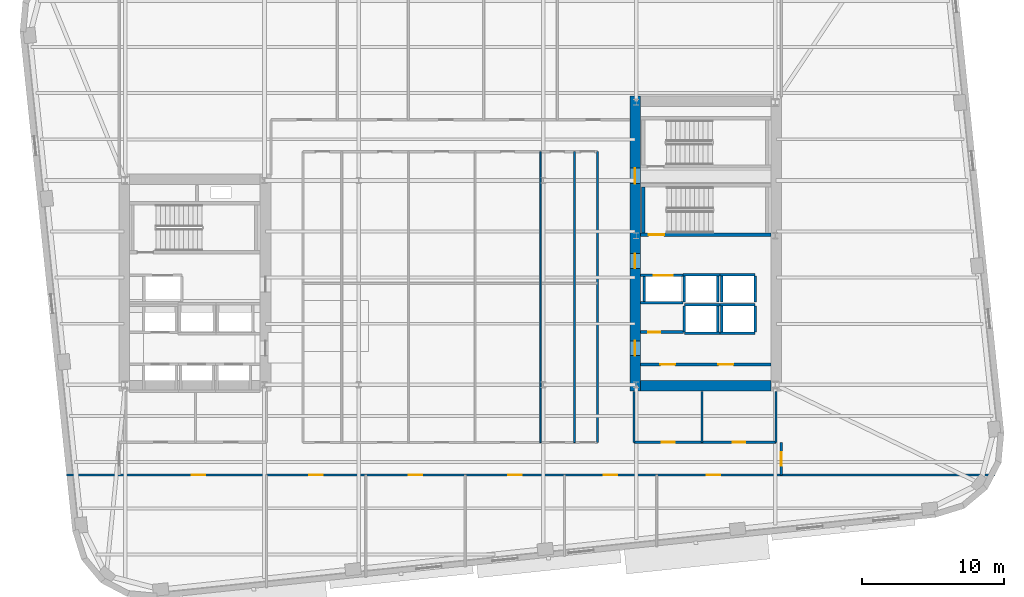
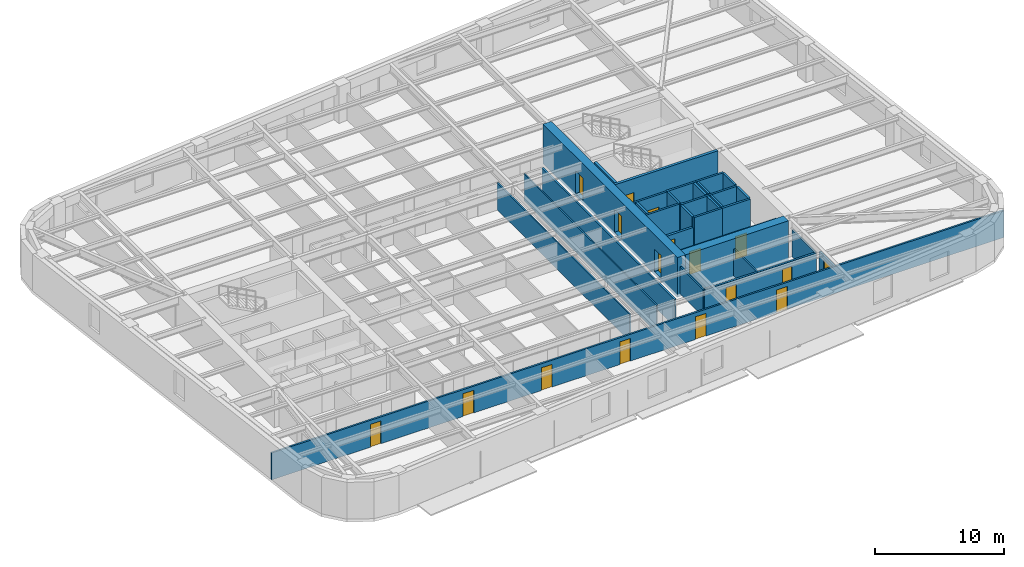
# One storey, part 6 of 13: 32 walls, 17 doors, 17 openings.
"""IFC4 building model written with IfcOpenShell, lengths in metres."""

from ifc_helpers import new_model, si_unit, direction, frame, frame_2d, origin, place, context, subcontext, project, spatial, rectangle, extrude, material, layer, layer_set, type_object, element, fill, save


model = new_model("IFC4")

# Units and contexts
model_context = context("Model", 3, precision=1e-05, world=origin(), true_north=direction((0.0, 1.0)))
body_context = subcontext(model_context, "Body", "Model", "MODEL_VIEW")
ifc_project = project(units=[si_unit("LENGTHUNIT", "METRE"), si_unit("AREAUNIT", "SQUARE_METRE"), si_unit("VOLUMEUNIT", "CUBIC_METRE"), si_unit("PLANEANGLEUNIT", "RADIAN"), si_unit("MASSUNIT", "GRAM", prefix="KILO")], contexts=[model_context])

# Site, building, storey
site_placement = place(None, origin())
site = spatial("IfcSite", under=ifc_project, at=site_placement, CompositionType="ELEMENT")
building_placement = place(site_placement, origin())
building = spatial("IfcBuilding", under=site, at=building_placement, Name="Kolvaren Arena Tower", CompositionType="ELEMENT")
storey_placement = place(building_placement, frame((0.0, 0.0, 145.75)))
storey = spatial("IfcBuildingStorey", under=building, at=storey_placement, Name="L34", CompositionType="ELEMENT", Elevation=145.75)

# Wall, openings, doors
ifc_material_1 = material(Name="Gypsum board acoustic assembly", Category="gypsum")
ifc_layer_1 = layer(ifc_material_1, 0.159912109375)
ifc_layer_set_1 = layer_set([ifc_layer_1], Name="Gypsum board acoustic assembly")
wall_type_1 = type_object("IfcWallType", Name="CORR-160", PredefinedType="PARTITIONING", material=ifc_layer_set_1)
wall_1_placement = place(storey_placement, frame((10.41552734375, 13.10009765625, 0.0), z_axis=(0.0, 0.0, 1.0), x_axis=(1.0, 0.0, 0.0)))
wall_1 = element("IfcWall", 1, at=wall_1_placement, inside=storey, type_object=wall_type_1, Name="Interior Partition Wall (L34)", PredefinedType="PARTITIONING", context=body_context, shape_type="SweptSolid", body=[
    extrude(rectangle(XDim=65.414794921875, YDim=0.159912109375, at=frame_2d((32.70751953125, 0.0))), origin(), (0.0, 0.0, 1.0), 2.5400390625),
])
opening_1_placement = place(wall_1_placement, frame((8.8095703125, 0.0, 0.0)))
opening_1 = element("IfcOpeningElement", 2, at=opening_1_placement, cuts=wall_1, Name="Opening D05", PredefinedType="OPENING", context=body_context, shape_type="SweptSolid", body=[
    extrude(rectangle(XDim=0.949951171875, YDim=2.14990234375, at=frame_2d((0.47509765625, 1.074951171875))), frame((0.0, 0.08984375, 0.0), z_axis=(0.0, -1.0, 0.0), x_axis=(1.0, 0.0, 0.0)), (0.0, 0.0, 1.0), 0.179931640625),
])
opening_2_placement = place(wall_1_placement, frame((17.109619140625, 0.0, 0.0)))
opening_2 = element("IfcOpeningElement", 3, at=opening_2_placement, cuts=wall_1, Name="Opening D05", PredefinedType="OPENING", context=body_context, shape_type="SweptSolid", body=[
    extrude(rectangle(XDim=0.949951171875, YDim=2.14990234375, at=frame_2d((0.47509765625, 1.074951171875))), frame((0.0, 0.08984375, 0.0), z_axis=(0.0, -1.0, 0.0), x_axis=(1.0, 0.0, 0.0)), (0.0, 0.0, 1.0), 0.179931640625),
])
opening_3_placement = place(wall_1_placement, frame((24.109619140625, 0.0, 0.0)))
opening_3 = element("IfcOpeningElement", 4, at=opening_3_placement, cuts=wall_1, Name="Opening D05", PredefinedType="OPENING", context=body_context, shape_type="SweptSolid", body=[
    extrude(rectangle(XDim=0.949951171875, YDim=2.14990234375, at=frame_2d((0.47509765625, 1.074951171875))), frame((0.0, 0.08984375, 0.0), z_axis=(0.0, -1.0, 0.0), x_axis=(1.0, 0.0, 0.0)), (0.0, 0.0, 1.0), 0.179931640625),
])
opening_4_placement = place(wall_1_placement, frame((31.109619140625, 0.0, 0.0)))
opening_4 = element("IfcOpeningElement", 5, at=opening_4_placement, cuts=wall_1, Name="Opening D05", PredefinedType="OPENING", context=body_context, shape_type="SweptSolid", body=[
    extrude(rectangle(XDim=0.949951171875, YDim=2.14990234375, at=frame_2d((0.47509765625, 1.074951171875))), frame((0.0, 0.08984375, 0.0), z_axis=(0.0, -1.0, 0.0), x_axis=(1.0, 0.0, 0.0)), (0.0, 0.0, 1.0), 0.179931640625),
])
opening_5_placement = place(wall_1_placement, frame((37.859619140625, 0.0, 0.0)))
opening_5 = element("IfcOpeningElement", 6, at=opening_5_placement, cuts=wall_1, Name="Opening D05", PredefinedType="OPENING", context=body_context, shape_type="SweptSolid", body=[
    extrude(rectangle(XDim=0.949951171875, YDim=2.14990234375, at=frame_2d((0.47509765625, 1.074951171875))), frame((0.0, 0.08984375, 0.0), z_axis=(0.0, -1.0, 0.0), x_axis=(1.0, 0.0, 0.0)), (0.0, 0.0, 1.0), 0.179931640625),
])
opening_6_placement = place(wall_1_placement, frame((45.109619140625, 0.0, 0.0)))
opening_6 = element("IfcOpeningElement", 7, at=opening_6_placement, cuts=wall_1, Name="Opening D05", PredefinedType="OPENING", context=body_context, shape_type="SweptSolid", body=[
    extrude(rectangle(XDim=0.949951171875, YDim=2.14990234375, at=frame_2d((0.47509765625, 1.074951171875))), frame((0.0, 0.08984375, 0.0), z_axis=(0.0, -1.0, 0.0), x_axis=(1.0, 0.0, 0.0)), (0.0, 0.0, 1.0), 0.179931640625),
])
ifc_material_2 = material(Name="Solid-core oak acoustic office door", Category="wood")
door_type_1 = type_object("IfcDoorType", Name="DOOR-OF-095", OperationType="NOTDEFINED", PredefinedType="DOOR", material=ifc_material_2)
door_1_placement = place(opening_1_placement, origin())
door_1 = element("IfcDoor", 8, at=door_1_placement, inside=storey, type_object=door_type_1, Name="Technical Engineering Office Door (L34)", OperationType="SINGLE_SWING_RIGHT", OverallHeight=2.14990234375, OverallWidth=0.949951171875, PredefinedType="DOOR", context=body_context, shape_type="SweptSolid", body=[
    extrude(rectangle(XDim=0.949951171875, YDim=2.14990234375, at=frame_2d((0.47509765625, 1.074951171875))), frame((0.0, 0.02490234375, 0.0), z_axis=(0.0, -1.0, 0.0), x_axis=(1.0, 0.0, 0.0)), (0.0, 0.0, 1.0), 0.050048828125),
])
fill(opening_1, door_1)
door_2_placement = place(opening_2_placement, origin())
door_2 = element("IfcDoor", 9, at=door_2_placement, inside=storey, type_object=door_type_1, Name="Open Plan Office Door (L34)", OperationType="SINGLE_SWING_LEFT", OverallHeight=2.14990234375, OverallWidth=0.949951171875, PredefinedType="DOOR", context=body_context, shape_type="SweptSolid", body=[
    extrude(rectangle(XDim=0.949951171875, YDim=2.14990234375, at=frame_2d((0.47509765625, 1.074951171875))), frame((0.0, 0.02490234375, 0.0), z_axis=(0.0, -1.0, 0.0), x_axis=(1.0, 0.0, 0.0)), (0.0, 0.0, 1.0), 0.050048828125),
])
fill(opening_2, door_2)
door_3_placement = place(opening_3_placement, origin())
door_3 = element("IfcDoor", 10, at=door_3_placement, inside=storey, type_object=door_type_1, Name="Training Seminar Room Door (L34)", OperationType="SINGLE_SWING_RIGHT", OverallHeight=2.14990234375, OverallWidth=0.949951171875, PredefinedType="DOOR", context=body_context, shape_type="SweptSolid", body=[
    extrude(rectangle(XDim=0.949951171875, YDim=2.14990234375, at=frame_2d((0.47509765625, 1.074951171875))), frame((0.0, 0.02490234375, 0.0), z_axis=(0.0, -1.0, 0.0), x_axis=(1.0, 0.0, 0.0)), (0.0, 0.0, 1.0), 0.050048828125),
])
fill(opening_3, door_3)
door_4_placement = place(opening_4_placement, origin())
door_4 = element("IfcDoor", 11, at=door_4_placement, inside=storey, type_object=door_type_1, Name="Executive Office Door (L34)", OperationType="SINGLE_SWING_LEFT", OverallHeight=2.14990234375, OverallWidth=0.949951171875, PredefinedType="DOOR", context=body_context, shape_type="SweptSolid", body=[
    extrude(rectangle(XDim=0.949951171875, YDim=2.14990234375, at=frame_2d((0.47509765625, 1.074951171875))), frame((0.0, 0.02490234375, 0.0), z_axis=(0.0, -1.0, 0.0), x_axis=(1.0, 0.0, 0.0)), (0.0, 0.0, 1.0), 0.050048828125),
])
fill(opening_4, door_4)
door_5_placement = place(opening_5_placement, origin())
door_5 = element("IfcDoor", 12, at=door_5_placement, inside=storey, type_object=door_type_1, Name="Boardroom Door (L34)", OperationType="SINGLE_SWING_RIGHT", OverallHeight=2.14990234375, OverallWidth=0.949951171875, PredefinedType="DOOR", context=body_context, shape_type="SweptSolid", body=[
    extrude(rectangle(XDim=0.949951171875, YDim=2.14990234375, at=frame_2d((0.47509765625, 1.074951171875))), frame((0.0, 0.02490234375, 0.0), z_axis=(0.0, -1.0, 0.0), x_axis=(1.0, 0.0, 0.0)), (0.0, 0.0, 1.0), 0.050048828125),
])
fill(opening_5, door_5)
door_6_placement = place(opening_6_placement, origin())
door_6 = element("IfcDoor", 13, at=door_6_placement, inside=storey, type_object=door_type_1, Name="Breakout Pantry and Kitchen Door (L34)", OperationType="SINGLE_SWING_LEFT", OverallHeight=2.14990234375, OverallWidth=0.949951171875, PredefinedType="DOOR", context=body_context, shape_type="SweptSolid", body=[
    extrude(rectangle(XDim=0.949951171875, YDim=2.14990234375, at=frame_2d((0.47509765625, 1.074951171875))), frame((0.0, 0.02490234375, 0.0), z_axis=(0.0, -1.0, 0.0), x_axis=(1.0, 0.0, 0.0)), (0.0, 0.0, 1.0), 0.050048828125),
])
fill(opening_6, door_6)

# Wall
wall_2_placement = place(storey_placement, frame((47.820068359375, 15.3798828125, 0.0), z_axis=(0.0, 0.0, 1.0), x_axis=(0.0, 1.0, 0.0)))
element("IfcWall", 14, at=wall_2_placement, inside=storey, type_object=wall_type_1, Name="Interior Partition Wall (L34)", PredefinedType="PARTITIONING", context=body_context, shape_type="SweptSolid", body=[
    extrude(rectangle(XDim=20.5, YDim=0.159912109375, at=frame_2d((10.25, 0.0))), origin(), (0.0, 0.0, 1.0), 2.5400390625),
])

# Wall, opening, door
wall_3_placement = place(storey_placement, frame((60.780029296875, 13.10009765625, 0.0), z_axis=(0.0, 0.0, 1.0), x_axis=(0.0, 1.0, 0.0)))
wall_3 = element("IfcWall", 15, at=wall_3_placement, inside=storey, type_object=wall_type_1, Name="Interior Partition Wall (L34)", PredefinedType="PARTITIONING", context=body_context, shape_type="SweptSolid", body=[
    extrude(rectangle(XDim=2.2998046875, YDim=0.159912109375, at=frame_2d((1.14990234375, 0.0))), origin(), (0.0, 0.0, 1.0), 2.5400390625),
])
opening_7_placement = place(wall_3_placement, frame((0.64990234375, 0.0, 0.0)))
opening_7 = element("IfcOpeningElement", 16, at=opening_7_placement, cuts=wall_3, Name="Opening D05", PredefinedType="OPENING", context=body_context, shape_type="SweptSolid", body=[
    extrude(rectangle(XDim=0.949951171875, YDim=2.14990234375, at=frame_2d((0.47509765625, 1.074951171875))), frame((0.0, 0.08984375, 0.0), z_axis=(0.0, -1.0, 0.0), x_axis=(1.0, 0.0, 0.0)), (0.0, 0.0, 1.0), 0.179931640625),
])
door_7_placement = place(opening_7_placement, origin())
door_7 = element("IfcDoor", 17, at=door_7_placement, inside=storey, type_object=door_type_1, Name="East Wing Studio Door (L34)", OperationType="SINGLE_SWING_RIGHT", OverallHeight=2.14990234375, OverallWidth=0.949951171875, PredefinedType="DOOR", context=body_context, shape_type="SweptSolid", body=[
    extrude(rectangle(XDim=0.949951171875, YDim=2.14990234375, at=frame_2d((0.47509765625, 1.074951171875))), frame((0.0, 0.02490234375, 0.0), z_axis=(0.0, -1.0, 0.0), x_axis=(1.0, 0.0, 0.0)), (0.0, 0.0, 1.0), 0.050048828125),
])
fill(opening_7, door_7)

# Wall, openings, doors
ifc_material_3 = material(Name="Concrete 70 MPa", Category="concrete")
ifc_layer_2 = layer(ifc_material_3, 0.75)
ifc_layer_set_2 = layer_set([ifc_layer_2], Name="Concrete 70 MPa")
wall_type_2 = type_object("IfcWallType", Name="CWALL-750", PredefinedType="SHEAR", material=ifc_layer_set_2)
wall_4_placement = place(storey_placement, frame((50.47509765625, 19.0, -0.27001953125), z_axis=(0.0, 0.0, 1.0), x_axis=(0.0, 1.0, 0.0)))
wall_4 = element("IfcWall", 18, at=wall_4_placement, inside=storey, type_object=wall_type_2, Name="Core Shear Wall EC-WEST (L34)", PredefinedType="SHEAR", context=body_context, shape_type="SweptSolid", body=[
    extrude(rectangle(XDim=20.800048828125, YDim=0.75, at=frame_2d((10.39990234375, 0.0))), origin(), (0.0, 0.0, 1.0), 3.75),
])
opening_8_placement = place(wall_4_placement, frame((2.5, 0.0, 0.27001953125)))
opening_8 = element("IfcOpeningElement", 19, at=opening_8_placement, cuts=wall_4, Name="Opening D04", PredefinedType="OPENING", context=body_context, shape_type="SweptSolid", body=[
    extrude(rectangle(XDim=1.050048828125, YDim=2.14990234375, at=frame_2d((0.52490234375, 1.074951171875))), frame((0.0, 0.385009765625, 0.0), z_axis=(0.0, -1.0, 0.0), x_axis=(1.0, 0.0, 0.0)), (0.0, 0.0, 1.0), 0.77001953125),
])
opening_9_placement = place(wall_4_placement, frame((8.64990234375, 0.0, 0.27001953125)))
opening_9 = element("IfcOpeningElement", 20, at=opening_9_placement, cuts=wall_4, Name="Opening D04", PredefinedType="OPENING", context=body_context, shape_type="SweptSolid", body=[
    extrude(rectangle(XDim=1.050048828125, YDim=2.14990234375, at=frame_2d((0.52490234375, 1.074951171875))), frame((0.0, 0.385009765625, 0.0), z_axis=(0.0, -1.0, 0.0), x_axis=(1.0, 0.0, 0.0)), (0.0, 0.0, 1.0), 0.77001953125),
])
opening_10_placement = place(wall_4_placement, frame((14.6201171875, 0.0, 0.27001953125)))
opening_10 = element("IfcOpeningElement", 21, at=opening_10_placement, cuts=wall_4, Name="Opening D03", PredefinedType="OPENING", context=body_context, shape_type="SweptSolid", body=[
    extrude(rectangle(XDim=1.10009765625, YDim=2.14990234375, at=frame_2d((0.550048828125, 1.074951171875))), frame((0.0, 0.385009765625, 0.0), z_axis=(0.0, -1.0, 0.0), x_axis=(1.0, 0.0, 0.0)), (0.0, 0.0, 1.0), 0.77001953125),
])
ifc_material_4 = material(Name="Fire-rated steel lobby door", Category="steel")
door_type_2 = type_object("IfcDoorType", Name="DOOR-FF-105", OperationType="NOTDEFINED", PredefinedType="DOOR", material=ifc_material_4)
door_8_placement = place(opening_8_placement, origin())
door_8 = element("IfcDoor", 22, at=door_8_placement, inside=storey, type_object=door_type_2, Name="East Lift Lobby Fire Door (L34)", OperationType="SINGLE_SWING_RIGHT", OverallHeight=2.14990234375, OverallWidth=1.050048828125, PredefinedType="DOOR", context=body_context, shape_type="SweptSolid", body=[
    extrude(rectangle(XDim=1.050048828125, YDim=2.14990234375, at=frame_2d((0.52490234375, 1.074951171875))), frame((0.0, 0.02490234375, 0.0), z_axis=(0.0, -1.0, 0.0), x_axis=(1.0, 0.0, 0.0)), (0.0, 0.0, 1.0), 0.050048828125),
])
fill(opening_8, door_8)
door_9_placement = place(opening_9_placement, origin())
door_9 = element("IfcDoor", 23, at=door_9_placement, inside=storey, type_object=door_type_2, Name="East Firefighter Vestibule Door (L34)", OperationType="SINGLE_SWING_LEFT", OverallHeight=2.14990234375, OverallWidth=1.050048828125, PredefinedType="DOOR", context=body_context, shape_type="SweptSolid", body=[
    extrude(rectangle(XDim=1.050048828125, YDim=2.14990234375, at=frame_2d((0.52490234375, 1.074951171875))), frame((0.0, 0.02490234375, 0.0), z_axis=(0.0, -1.0, 0.0), x_axis=(1.0, 0.0, 0.0)), (0.0, 0.0, 1.0), 0.050048828125),
])
fill(opening_9, door_9)
ifc_material_5 = material(Name="Fire-rated steel exit stair door", Category="steel")
door_type_3 = type_object("IfcDoorType", Name="DOOR-ST-110", OperationType="NOTDEFINED", PredefinedType="DOOR", material=ifc_material_5)
door_10_placement = place(opening_10_placement, origin())
door_10 = element("IfcDoor", 24, at=door_10_placement, inside=storey, type_object=door_type_3, Name="Stair ST-E2 Vestibule Fire Door (L34)", OperationType="SINGLE_SWING_LEFT", OverallHeight=2.14990234375, OverallWidth=1.10009765625, PredefinedType="DOOR", context=body_context, shape_type="SweptSolid", body=[
    extrude(rectangle(XDim=1.10009765625, YDim=2.14990234375, at=frame_2d((0.550048828125, 1.074951171875))), frame((0.0, 0.02490234375, 0.0), z_axis=(0.0, -1.0, 0.0), x_axis=(1.0, 0.0, 0.0)), (0.0, 0.0, 1.0), 0.050048828125),
])
fill(opening_10, door_10)

# Wall
wall_5_placement = place(storey_placement, frame((50.85009765625, 19.375, -0.27001953125), z_axis=(0.0, 0.0, 1.0), x_axis=(1.0, 0.0, 0.0)))
element("IfcWall", 25, at=wall_5_placement, inside=storey, type_object=wall_type_2, Name="Core Shear Wall EC-SOUTH (L34)", PredefinedType="SHEAR", context=body_context, shape_type="SweptSolid", body=[
    extrude(rectangle(XDim=9.199951171875, YDim=0.75, at=frame_2d((4.60009765625, 0.0))), origin(), (0.0, 0.0, 1.0), 3.75),
])

# Wall, openings, doors
ifc_material_6 = material(Name="Concrete 40 MPa", Category="concrete")
ifc_layer_3 = layer(ifc_material_6, 0.199951171875)
ifc_layer_set_3 = layer_set([ifc_layer_3], Name="Concrete 40 MPa")
wall_type_3 = type_object("IfcWallType", Name="LOBBY-200", PredefinedType="SOLIDWALL", material=ifc_layer_set_3)
wall_6_placement = place(storey_placement, frame((50.85009765625, 20.8798828125, 0.0), z_axis=(0.0, 0.0, 1.0), x_axis=(1.0, 0.0, 0.0)))
wall_6 = element("IfcWall", 26, at=wall_6_placement, inside=storey, type_object=wall_type_3, Name="Core Shaft Wall (L34)", PredefinedType="SOLIDWALL", context=body_context, shape_type="SweptSolid", body=[
    extrude(rectangle(XDim=9.199951171875, YDim=0.199951171875, at=frame_2d((4.60009765625, 0.0))), origin(), (0.0, 0.0, 1.0), 2.5400390625),
])
opening_11_placement = place(wall_6_placement, frame((1.39990234375, 0.0, 0.0)))
opening_11 = element("IfcOpeningElement", 27, at=opening_11_placement, cuts=wall_6, Name="Opening D04", PredefinedType="OPENING", context=body_context, shape_type="SweptSolid", body=[
    extrude(rectangle(XDim=1.050048828125, YDim=2.14990234375, at=frame_2d((0.52490234375, 1.074951171875))), frame((0.0, 0.10986328125, 0.0), z_axis=(0.0, -1.0, 0.0), x_axis=(1.0, 0.0, 0.0)), (0.0, 0.0, 1.0), 0.219970703125),
])
opening_12_placement = place(wall_6_placement, frame((5.5, 0.0, 0.0)))
opening_12 = element("IfcOpeningElement", 28, at=opening_12_placement, cuts=wall_6, Name="Opening D04", PredefinedType="OPENING", context=body_context, shape_type="SweptSolid", body=[
    extrude(rectangle(XDim=1.050048828125, YDim=2.14990234375, at=frame_2d((0.52490234375, 1.074951171875))), frame((0.0, 0.10986328125, 0.0), z_axis=(0.0, -1.0, 0.0), x_axis=(1.0, 0.0, 0.0)), (0.0, 0.0, 1.0), 0.219970703125),
])
door_11_placement = place(opening_11_placement, origin())
door_11 = element("IfcDoor", 29, at=door_11_placement, inside=storey, type_object=door_type_2, Name="East Telecom Room Fire Door (L34)", OperationType="SINGLE_SWING_RIGHT", OverallHeight=2.14990234375, OverallWidth=1.050048828125, PredefinedType="DOOR", context=body_context, shape_type="SweptSolid", body=[
    extrude(rectangle(XDim=1.050048828125, YDim=2.14990234375, at=frame_2d((0.52490234375, 1.074951171875))), frame((0.0, 0.02490234375, 0.0), z_axis=(0.0, -1.0, 0.0), x_axis=(1.0, 0.0, 0.0)), (0.0, 0.0, 1.0), 0.050048828125),
])
fill(opening_11, door_11)
door_12_placement = place(opening_12_placement, origin())
door_12 = element("IfcDoor", 30, at=door_12_placement, inside=storey, type_object=door_type_2, Name="East Records Room Fire Door (L34)", OperationType="SINGLE_SWING_LEFT", OverallHeight=2.14990234375, OverallWidth=1.050048828125, PredefinedType="DOOR", context=body_context, shape_type="SweptSolid", body=[
    extrude(rectangle(XDim=1.050048828125, YDim=2.14990234375, at=frame_2d((0.52490234375, 1.074951171875))), frame((0.0, 0.02490234375, 0.0), z_axis=(0.0, -1.0, 0.0), x_axis=(1.0, 0.0, 0.0)), (0.0, 0.0, 1.0), 0.050048828125),
])
fill(opening_12, door_12)

# Wall, opening, door
wall_7_placement = place(storey_placement, frame((50.85009765625, 23.159912109375, 0.0), z_axis=(0.0, 0.0, 1.0), x_axis=(1.0, 0.0, 0.0)))
wall_7 = element("IfcWall", 31, at=wall_7_placement, inside=storey, type_object=wall_type_3, Name="Core Shaft Wall (L34)", PredefinedType="SOLIDWALL", context=body_context, shape_type="SweptSolid", body=[
    extrude(rectangle(XDim=3.02978515625, YDim=0.199951171875, at=frame_2d((1.514892578125, 0.0))), origin(), (0.0, 0.0, 1.0), 2.5400390625),
])
opening_13_placement = place(wall_7_placement, frame((0.550048828125, 0.0, 0.0)))
opening_13 = element("IfcOpeningElement", 32, at=opening_13_placement, cuts=wall_7, Name="Opening D09", PredefinedType="OPENING", context=body_context, shape_type="SweptSolid", body=[
    extrude(rectangle(XDim=0.860107421875, YDim=2.050048828125, at=frame_2d((0.43017578125, 1.02490234375))), frame((0.0, 0.10986328125, 0.0), z_axis=(0.0, -1.0, 0.0), x_axis=(1.0, 0.0, 0.0)), (0.0, 0.0, 1.0), 0.219970703125),
])
ifc_material_7 = material(Name="Fire-rated steel riser access door", Category="steel")
door_type_4 = type_object("IfcDoorType", Name="DOOR-RS-086", OperationType="NOTDEFINED", PredefinedType="DOOR", material=ifc_material_7)
door_13_placement = place(opening_13_placement, origin())
door_13 = element("IfcDoor", 33, at=door_13_placement, inside=storey, type_object=door_type_4, Name="East AV Riser Closet Door (L34)", OperationType="SINGLE_SWING_LEFT", OverallHeight=2.050048828125, OverallWidth=0.860107421875, PredefinedType="DOOR", context=body_context, shape_type="SweptSolid", body=[
    extrude(rectangle(XDim=0.860107421875, YDim=2.050048828125, at=frame_2d((0.43017578125, 1.02490234375))), frame((0.0, 0.02490234375, 0.0), z_axis=(0.0, -1.0, 0.0), x_axis=(1.0, 0.0, 0.0)), (0.0, 0.0, 1.0), 0.050048828125),
])
fill(opening_13, door_13)

# Walls
ifc_material_8 = material(Name="Gypsum board partition assembly", Category="gypsum")
ifc_layer_4 = layer(ifc_material_8, 0.114990234375)
ifc_layer_set_4 = layer_set([ifc_layer_4], Name="Gypsum board partition assembly")
wall_type_4 = type_object("IfcWallType", Name="PART-115", PredefinedType="PARTITIONING", material=ifc_layer_set_4)
for number, where, z_axis, x_axis, name in (
    (34, (43.800048828125, 15.3798828125, 0.0), (0.0, 0.0, 1.0), (0.0, 1.0, 0.0), "Interior Partition Wall (L34)"),
    (35, (46.199951171875, 15.3798828125, 0.0), (0.0, 0.0, 1.0), (0.0, 1.0, 0.0), "Interior Partition Wall (L34)"),
):
    element("IfcWall", number, at=place(storey_placement, frame(where, z_axis=z_axis, x_axis=x_axis)), inside=storey, type_object=wall_type_4, Name=name, PredefinedType="PARTITIONING", context=body_context, shape_type="SweptSolid", body=[
        extrude(rectangle(XDim=20.5, YDim=0.114990234375, at=frame_2d((10.25, 0.0))), origin(), (0.0, 0.0, 1.0), 2.5400390625),
    ])

# Wall, opening, door
ifc_material_9 = material(Name="Concrete 45 MPa", Category="concrete")
ifc_layer_5 = layer(ifc_material_9, 0.25)
ifc_layer_set_5 = layer_set([ifc_layer_5], Name="Concrete 45 MPa")
wall_type_5 = type_object("IfcWallType", Name="SHAFT-250", PredefinedType="SOLIDWALL", material=ifc_layer_set_5)
wall_8_placement = place(storey_placement, frame((60.050048828125, 30.030029296875, 0.0), z_axis=(0.0, 0.0, 1.0), x_axis=(-1.0, 0.0, 0.0)))
wall_8 = element("IfcWall", 36, at=wall_8_placement, inside=storey, type_object=wall_type_5, Name="Core Shaft Wall (L34)", PredefinedType="SOLIDWALL", context=body_context, shape_type="SweptSolid", body=[
    extrude(rectangle(XDim=9.199951171875, YDim=0.239990234375, at=frame_2d((4.60009765625, 0.0))), origin(), (0.0, 0.0, 1.0), 3.47998046875),
])
opening_14_placement = place(wall_8_placement, frame((7.530029296875, 0.0, 0.0)))
opening_14 = element("IfcOpeningElement", 37, at=opening_14_placement, cuts=wall_8, Name="Opening D03", PredefinedType="OPENING", context=body_context, shape_type="SweptSolid", body=[
    extrude(rectangle(XDim=1.10009765625, YDim=2.14990234375, at=frame_2d((0.550048828125, 1.074951171875))), frame((0.0, 0.1298828125, 0.0), z_axis=(0.0, -1.0, 0.0), x_axis=(1.0, 0.0, 0.0)), (0.0, 0.0, 1.0), 0.260009765625),
])
door_14_placement = place(opening_14_placement, origin())
door_14 = element("IfcDoor", 38, at=door_14_placement, inside=storey, type_object=door_type_3, Name="Stair ST-E1 Fire Door (L34)", OperationType="SINGLE_SWING_LEFT", OverallHeight=2.14990234375, OverallWidth=1.10009765625, PredefinedType="DOOR", context=body_context, shape_type="SweptSolid", body=[
    extrude(rectangle(XDim=1.10009765625, YDim=2.14990234375, at=frame_2d((0.550048828125, 1.074951171875))), frame((0.0, 0.02490234375, 0.0), z_axis=(0.0, -1.0, 0.0), x_axis=(1.0, 0.0, 0.0)), (0.0, 0.0, 1.0), 0.050048828125),
])
fill(opening_14, door_14)

# Walls
wall_9_placement = place(storey_placement, frame((51.06005859375, 30.14990234375, 0.0), z_axis=(0.0, 0.0, 1.0), x_axis=(0.0, 1.0, 0.0)))
element("IfcWall", 39, at=wall_9_placement, inside=storey, type_object=wall_type_5, Name="Core Shaft Wall (L34)", PredefinedType="SOLIDWALL", context=body_context, shape_type="SweptSolid", body=[
    extrude(rectangle(XDim=3.22998046875, YDim=0.239990234375, at=frame_2d((1.614990234375, 0.0))), origin(), (0.0, 0.0, 1.0), 3.47998046875),
])
for number, where, z_axis, x_axis, name in (
    (40, (53.93994140625, 25.10498046875, 0.0), (0.0, 0.0, 1.0), (1.0, 0.0, 0.0), "Core Shaft Wall (L34)"),
    (41, (53.93994140625, 23.094970703125, 0.0), (0.0, 0.0, 1.0), (1.0, 0.0, 0.0), "Core Shaft Wall (L34)"),
):
    element("IfcWall", number, at=place(storey_placement, frame(where, z_axis=z_axis, x_axis=x_axis)), inside=storey, type_object=wall_type_5, Name=name, PredefinedType="SOLIDWALL", context=body_context, shape_type="SweptSolid", body=[
        extrude(rectangle(XDim=2.5, YDim=0.179931640625, at=frame_2d((1.25, 0.0))), origin(), (0.0, 0.0, 1.0), 3.47998046875),
    ])
for number, where, z_axis, x_axis, name in (
    (42, (53.93994140625, 23.18505859375, 0.0), (0.0, 0.0, 1.0), (0.0, 1.0, 0.0), "Core Shaft Wall (L34)"),
    (43, (56.300048828125, 23.18505859375, 0.0), (0.0, 0.0, 1.0), (0.0, 1.0, 0.0), "Core Shaft Wall (L34)"),
):
    element("IfcWall", number, at=place(storey_placement, frame(where, z_axis=z_axis, x_axis=x_axis)), inside=storey, type_object=wall_type_5, Name=name, PredefinedType="SOLIDWALL", context=body_context, shape_type="SweptSolid", body=[
        extrude(rectangle(XDim=1.829833984375, YDim=0.179931640625, at=frame_2d((0.9150390625, 0.0))), origin(), (0.0, 0.0, 1.0), 3.47998046875),
    ])
for number, where, z_axis, x_axis, name in (
    (44, (56.43994140625, 25.10498046875, 0.0), (0.0, 0.0, 1.0), (1.0, 0.0, 0.0), "Core Shaft Wall (L34)"),
    (45, (56.43994140625, 23.094970703125, 0.0), (0.0, 0.0, 1.0), (1.0, 0.0, 0.0), "Core Shaft Wall (L34)"),
):
    element("IfcWall", number, at=place(storey_placement, frame(where, z_axis=z_axis, x_axis=x_axis)), inside=storey, type_object=wall_type_5, Name=name, PredefinedType="SOLIDWALL", context=body_context, shape_type="SweptSolid", body=[
        extrude(rectangle(XDim=2.5, YDim=0.179931640625, at=frame_2d((1.25, 0.0))), origin(), (0.0, 0.0, 1.0), 3.47998046875),
    ])
for number, where, z_axis, x_axis, name in (
    (46, (56.580078125, 23.18505859375, 0.0), (0.0, 0.0, 1.0), (0.0, 1.0, 0.0), "Core Shaft Wall (L34)"),
    (47, (58.93994140625, 23.18505859375, 0.0), (0.0, 0.0, 1.0), (0.0, 1.0, 0.0), "Core Shaft Wall (L34)"),
):
    element("IfcWall", number, at=place(storey_placement, frame(where, z_axis=z_axis, x_axis=x_axis)), inside=storey, type_object=wall_type_5, Name=name, PredefinedType="SOLIDWALL", context=body_context, shape_type="SweptSolid", body=[
        extrude(rectangle(XDim=1.829833984375, YDim=0.179931640625, at=frame_2d((0.9150390625, 0.0))), origin(), (0.0, 0.0, 1.0), 3.47998046875),
    ])
wall_10_placement = place(storey_placement, frame((53.864990234375, 27.205078125, 0.0), z_axis=(0.0, 0.0, 1.0), x_axis=(1.0, 0.0, 0.0)))
element("IfcWall", 48, at=wall_10_placement, inside=storey, type_object=wall_type_5, Name="Core Shaft Wall (L34)", PredefinedType="SOLIDWALL", context=body_context, shape_type="SweptSolid", body=[
    extrude(rectangle(XDim=2.574951171875, YDim=0.179931640625, at=frame_2d((1.28759765625, 0.0))), origin(), (0.0, 0.0, 1.0), 3.47998046875),
])
for number, where, z_axis, x_axis, name in (
    (49, (53.93994140625, 25.284912109375, 0.0), (0.0, 0.0, 1.0), (0.0, 1.0, 0.0), "Core Shaft Wall (L34)"),
    (50, (56.300048828125, 25.284912109375, 0.0), (0.0, 0.0, 1.0), (0.0, 1.0, 0.0), "Core Shaft Wall (L34)"),
):
    element("IfcWall", number, at=place(storey_placement, frame(where, z_axis=z_axis, x_axis=x_axis)), inside=storey, type_object=wall_type_5, Name=name, PredefinedType="SOLIDWALL", context=body_context, shape_type="SweptSolid", body=[
        extrude(rectangle(XDim=1.830078125, YDim=0.179931640625, at=frame_2d((0.9150390625, 0.0))), origin(), (0.0, 0.0, 1.0), 3.47998046875),
    ])
wall_11_placement = place(storey_placement, frame((56.43994140625, 27.205078125, 0.0), z_axis=(0.0, 0.0, 1.0), x_axis=(1.0, 0.0, 0.0)))
element("IfcWall", 51, at=wall_11_placement, inside=storey, type_object=wall_type_5, Name="Core Shaft Wall (L34)", PredefinedType="SOLIDWALL", context=body_context, shape_type="SweptSolid", body=[
    extrude(rectangle(XDim=2.5, YDim=0.179931640625, at=frame_2d((1.25, 0.0))), origin(), (0.0, 0.0, 1.0), 3.47998046875),
])
for number, where, z_axis, x_axis, name in (
    (52, (56.580078125, 25.284912109375, 0.0), (0.0, 0.0, 1.0), (0.0, 1.0, 0.0), "Core Shaft Wall (L34)"),
    (53, (58.93994140625, 25.284912109375, 0.0), (0.0, 0.0, 1.0), (0.0, 1.0, 0.0), "Core Shaft Wall (L34)"),
):
    element("IfcWall", number, at=place(storey_placement, frame(where, z_axis=z_axis, x_axis=x_axis)), inside=storey, type_object=wall_type_5, Name=name, PredefinedType="SOLIDWALL", context=body_context, shape_type="SweptSolid", body=[
        extrude(rectangle(XDim=1.830078125, YDim=0.179931640625, at=frame_2d((0.9150390625, 0.0))), origin(), (0.0, 0.0, 1.0), 3.47998046875),
    ])

# Wall, opening, door
wall_12_placement = place(storey_placement, frame((50.85009765625, 27.155029296875, 0.0), z_axis=(0.0, 0.0, 1.0), x_axis=(1.0, 0.0, 0.0)))
wall_12 = element("IfcWall", 54, at=wall_12_placement, inside=storey, type_object=wall_type_5, Name="Core Shaft Wall (L34)", PredefinedType="SOLIDWALL", context=body_context, shape_type="SweptSolid", body=[
    extrude(rectangle(XDim=3.014892578125, YDim=0.179931640625, at=frame_2d((1.50732421875, 0.0))), origin(), (0.0, 0.0, 1.0), 3.47998046875),
])
opening_15_placement = place(wall_12_placement, frame((0.93505859375, 0.0, 0.0)))
opening_15 = element("IfcOpeningElement", 55, at=opening_15_placement, cuts=wall_12, Name="Opening LD2", PredefinedType="OPENING", context=body_context, shape_type="SweptSolid", body=[
    extrude(rectangle(XDim=1.35009765625, YDim=2.300048828125, at=frame_2d((0.675048828125, 1.14990234375))), frame((0.0, 0.099853515625, 0.0), z_axis=(0.0, -1.0, 0.0), x_axis=(1.0, 0.0, 0.0)), (0.0, 0.0, 1.0), 0.199951171875),
])
ifc_material_10 = material(Name="Stainless steel firefighter lift landing door", Category="steel")
door_type_5 = type_object("IfcDoorType", Name="DOOR-LD-135", OperationType="DOUBLE_DOOR_SLIDING", PredefinedType="DOOR", material=ifc_material_10)
door_15_placement = place(opening_15_placement, origin())
door_15 = element("IfcDoor", 56, at=door_15_placement, inside=storey, type_object=door_type_5, Name="Firefighter Lift FF-E1 Landing Door (L34)", OperationType="DOUBLE_DOOR_SLIDING", OverallHeight=2.300048828125, OverallWidth=1.35009765625, PredefinedType="DOOR", context=body_context, shape_type="SweptSolid", body=[
    extrude(rectangle(XDim=1.35009765625, YDim=2.300048828125, at=frame_2d((0.675048828125, 1.14990234375))), frame((0.0, 0.02490234375, 0.0), z_axis=(0.0, -1.0, 0.0), x_axis=(1.0, 0.0, 0.0)), (0.0, 0.0, 1.0), 0.050048828125),
])
fill(opening_15, door_15)

# Walls
wall_13_placement = place(storey_placement, frame((50.85009765625, 25.2451171875, 0.0), z_axis=(0.0, 0.0, 1.0), x_axis=(1.0, 0.0, 0.0)))
element("IfcWall", 57, at=wall_13_placement, inside=storey, type_object=wall_type_5, Name="Core Shaft Wall (L34)", PredefinedType="SOLIDWALL", context=body_context, shape_type="SweptSolid", body=[
    extrude(rectangle(XDim=3.014892578125, YDim=0.179931640625, at=frame_2d((1.50732421875, 0.0))), origin(), (0.0, 0.0, 1.0), 3.47998046875),
])
wall_14_placement = place(storey_placement, frame((51.1298828125, 25.3349609375, 0.0), z_axis=(0.0, 0.0, 1.0), x_axis=(0.0, 1.0, 0.0)))
element("IfcWall", 58, at=wall_14_placement, inside=storey, type_object=wall_type_5, Name="Core Shaft Wall (L34)", PredefinedType="SOLIDWALL", context=body_context, shape_type="SweptSolid", body=[
    extrude(rectangle(XDim=1.72998046875, YDim=0.179931640625, at=frame_2d((0.864990234375, 0.0))), origin(), (0.0, 0.0, 1.0), 3.47998046875),
])

# Wall, openings, doors
wall_15_placement = place(storey_placement, frame((50.39990234375, 15.39990234375, 0.0), z_axis=(0.0, 0.0, 1.0), x_axis=(1.0, 0.0, 0.0)))
wall_15 = element("IfcWall", 59, at=wall_15_placement, inside=storey, type_object=wall_type_5, Name="Interior Partition Wall (L34)", PredefinedType="SOLIDWALL", context=body_context, shape_type="SweptSolid", body=[
    extrude(rectangle(XDim=10.0, YDim=0.179931640625, at=frame_2d((5.0, 0.0))), origin(), (0.0, 0.0, 1.0), 2.5400390625),
])
opening_16_placement = place(wall_15_placement, frame((1.93994140625, 0.0, 0.0)))
opening_16 = element("IfcOpeningElement", 60, at=opening_16_placement, cuts=wall_15, Name="Opening D07", PredefinedType="OPENING", context=body_context, shape_type="SweptSolid", body=[
    extrude(rectangle(XDim=0.919921875, YDim=2.10009765625, at=frame_2d((0.4599609375, 1.050048828125))), frame((0.0, 0.099853515625, 0.0), z_axis=(0.0, -1.0, 0.0), x_axis=(1.0, 0.0, 0.0)), (0.0, 0.0, 1.0), 0.199951171875),
])
opening_17_placement = place(wall_15_placement, frame((6.969970703125, 0.0, 0.0)))
opening_17 = element("IfcOpeningElement", 61, at=opening_17_placement, cuts=wall_15, Name="Opening D09", PredefinedType="OPENING", context=body_context, shape_type="SweptSolid", body=[
    extrude(rectangle(XDim=0.860107421875, YDim=2.050048828125, at=frame_2d((0.43017578125, 1.02490234375))), frame((0.0, 0.099853515625, 0.0), z_axis=(0.0, -1.0, 0.0), x_axis=(1.0, 0.0, 0.0)), (0.0, 0.0, 1.0), 0.199951171875),
])
door_16_placement = place(opening_17_placement, origin())
door_16 = element("IfcDoor", 62, at=door_16_placement, inside=storey, type_object=door_type_4, Name="Electrical Riser Closet Door (L34)", OperationType="SINGLE_SWING_LEFT", OverallHeight=2.050048828125, OverallWidth=0.860107421875, PredefinedType="DOOR", context=body_context, shape_type="SweptSolid", body=[
    extrude(rectangle(XDim=0.860107421875, YDim=2.050048828125, at=frame_2d((0.43017578125, 1.02490234375))), frame((0.0, 0.02490234375, 0.0), z_axis=(0.0, -1.0, 0.0), x_axis=(1.0, 0.0, 0.0)), (0.0, 0.0, 1.0), 0.050048828125),
])
fill(opening_17, door_16)
ifc_material_11 = material(Name="Laminate universal washroom door", Category="wood")
door_type_6 = type_object("IfcDoorType", Name="DOOR-WC-092", OperationType="NOTDEFINED", PredefinedType="DOOR", material=ifc_material_11)
door_17_placement = place(opening_16_placement, origin())
door_17 = element("IfcDoor", 63, at=door_17_placement, inside=storey, type_object=door_type_6, Name="Cleaner and Janitor Store Door (L34)", OperationType="SINGLE_SWING_RIGHT", OverallHeight=2.10009765625, OverallWidth=0.919921875, PredefinedType="DOOR", context=body_context, shape_type="SweptSolid", body=[
    extrude(rectangle(XDim=0.919921875, YDim=2.10009765625, at=frame_2d((0.4599609375, 1.050048828125))), frame((0.0, 0.02490234375, 0.0), z_axis=(0.0, -1.0, 0.0), x_axis=(1.0, 0.0, 0.0)), (0.0, 0.0, 1.0), 0.050048828125),
])
fill(opening_16, door_17)

# Walls
ifc_material_12 = material(Name="Moisture-resistant gypsum assembly", Category="gypsum")
ifc_layer_6 = layer(ifc_material_12, 0.14990234375)
ifc_layer_set_6 = layer_set([ifc_layer_6], Name="Moisture-resistant gypsum assembly")
wall_type_6 = type_object("IfcWallType", Name="WETW-150", PredefinedType="PARTITIONING", material=ifc_layer_set_6)
for number, where, z_axis, x_axis, name in (
    (64, (55.199951171875, 15.39990234375, 0.0), (0.0, 0.0, 1.0), (0.0, 1.0, 0.0), "Interior Partition Wall (L34)"),
    (65, (50.39990234375, 15.39990234375, 0.0), (0.0, 0.0, 1.0), (0.0, 1.0, 0.0), "Interior Partition Wall (L34)"),
    (66, (60.39990234375, 15.39990234375, 0.0), (0.0, 0.0, 1.0), (0.0, 1.0, 0.0), "Interior Partition Wall (L34)"),
):
    element("IfcWall", number, at=place(storey_placement, frame(where, z_axis=z_axis, x_axis=x_axis)), inside=storey, type_object=wall_type_6, Name=name, PredefinedType="PARTITIONING", context=body_context, shape_type="SweptSolid", body=[
        extrude(rectangle(XDim=3.580078125, YDim=0.14990234375, at=frame_2d((1.7900390625, 0.0))), origin(), (0.0, 0.0, 1.0), 2.5400390625),
    ])

save(model, "model.ifc")
